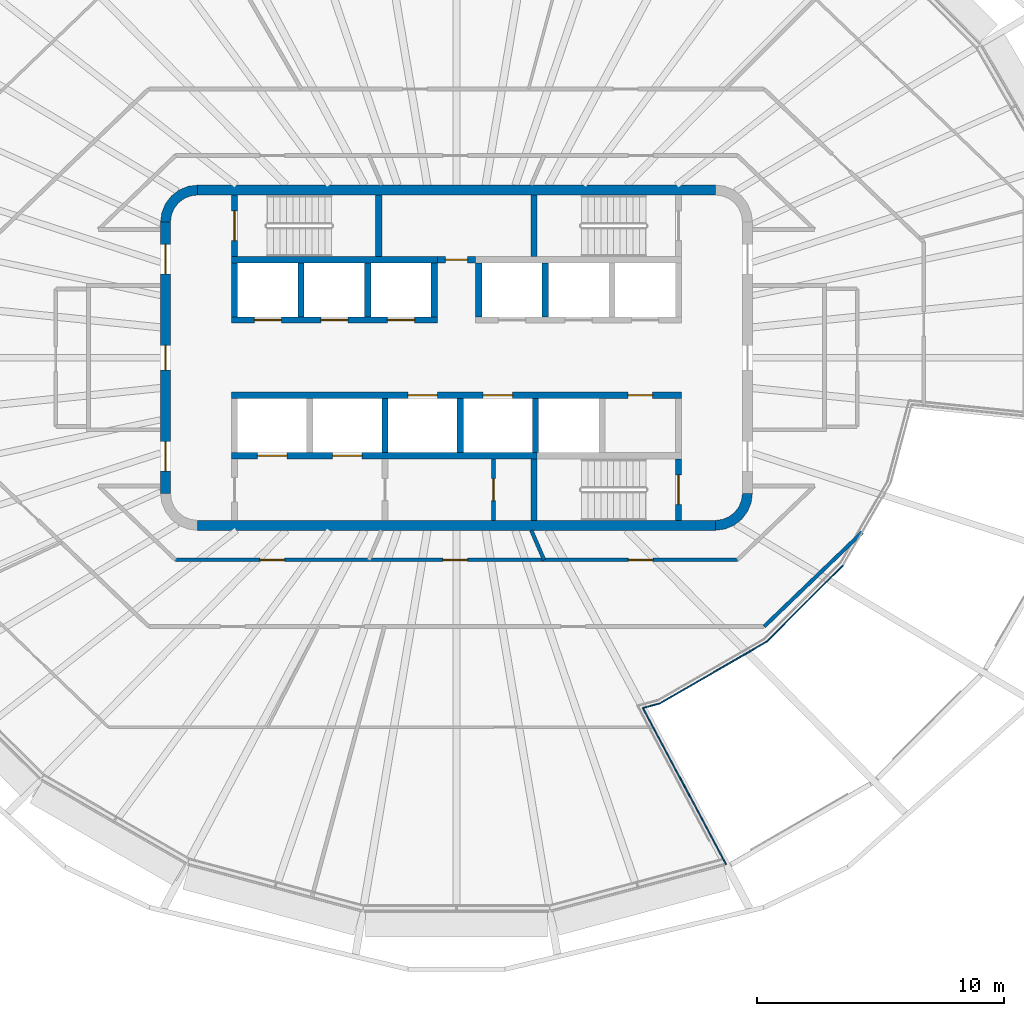
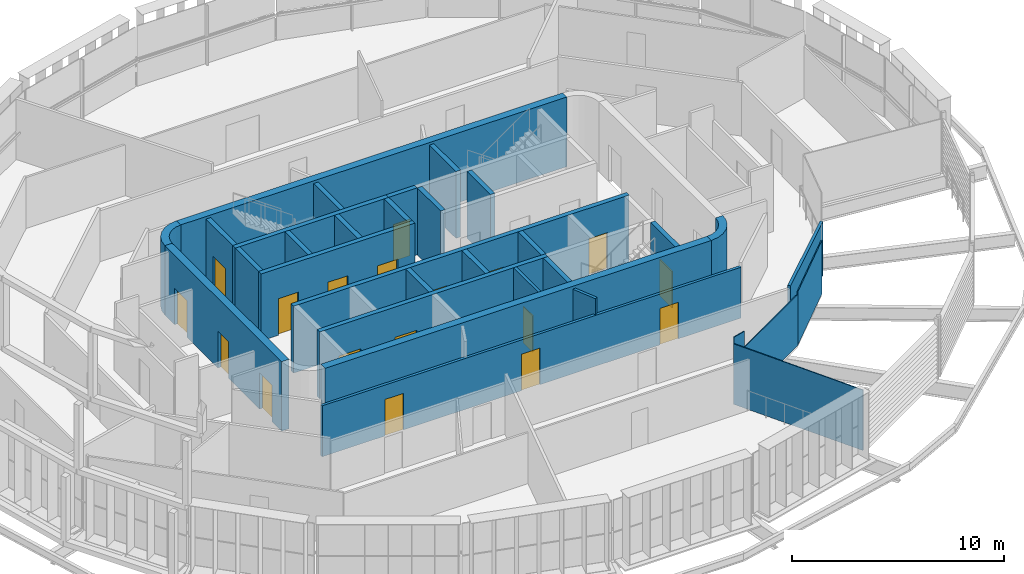
# One storey, part 9 of 18: 32 walls, 18 doors, 18 openings.
"""IFC4 building model written with IfcOpenShell, lengths in metres."""

from ifc_helpers import new_model, si_unit, direction, frame, frame_2d, origin, place, context, subcontext, project, spatial, polyline, rectangle, outline, extrude, material, layer, layer_set, type_object, element, fill, save


model = new_model("IFC4")

# Units and contexts
model_context = context("Model", 3, precision=1e-05, world=origin(), true_north=direction((0.0, 1.0)))
body_context = subcontext(model_context, "Body", "Model", "MODEL_VIEW")
ifc_project = project(units=[si_unit("LENGTHUNIT", "METRE"), si_unit("AREAUNIT", "SQUARE_METRE"), si_unit("VOLUMEUNIT", "CUBIC_METRE"), si_unit("PLANEANGLEUNIT", "RADIAN"), si_unit("MASSUNIT", "GRAM", prefix="KILO")], contexts=[model_context])

# Site, building, storey
site_placement = place(None, origin())
site = spatial("IfcSite", under=ifc_project, at=site_placement, CompositionType="ELEMENT")
building_placement = place(site_placement, origin())
building = spatial("IfcBuilding", under=site, at=building_placement, Name="Sahrelin Media Tower", CompositionType="ELEMENT")
storey_placement = place(building_placement, frame((0.0, 0.0, 312.39990234375)))
storey = spatial("IfcBuildingStorey", under=building, at=storey_placement, Name="L69", CompositionType="ELEMENT", Elevation=312.39990234375)

# Walls
ifc_material_1 = material(Name="Concrete C60/75", Category="concrete")
ifc_layer_1 = layer(ifc_material_1, 0.39990234375)
ifc_layer_set_1 = layer_set([ifc_layer_1], Name="Core wall 400")
wall_type_1 = type_object("IfcWallType", Name="Core wall 400", PredefinedType="SHEAR", material=ifc_layer_set_1)
for number, where, z_axis, x_axis, name in (
    (1, (-10.5, 6.800048828125, 0.0), (0.0, 0.0, 1.0), (1.0, 0.0, 0.0), "Core wall N L69"),
    (2, (-10.5, -6.800048828125, 0.0), (0.0, 0.0, 1.0), (1.0, 0.0, 0.0), "Core wall S L69"),
):
    element("IfcWall", number, at=place(storey_placement, frame(where, z_axis=z_axis, x_axis=x_axis)), inside=storey, type_object=wall_type_1, Name=name, PredefinedType="SHEAR", context=body_context, shape_type="SweptSolid", body=[
        extrude(rectangle(XDim=21.0, YDim=0.39990234375, at=frame_2d((10.5, 0.0))), origin(), (0.0, 0.0, 1.0), 4.0),
    ])

# Wall, openings, doors
wall_1_placement = place(storey_placement, frame((-11.800048828125, -5.5, 0.0), z_axis=(0.0, 0.0, 1.0), x_axis=(0.0, 1.0, 0.0)))
wall_1 = element("IfcWall", 3, at=wall_1_placement, inside=storey, type_object=wall_type_1, Name="Core wall W L69", PredefinedType="SHEAR", context=body_context, shape_type="SweptSolid", body=[
    extrude(rectangle(XDim=11.0, YDim=0.39990234375, at=frame_2d((5.5, 0.0))), origin(), (0.0, 0.0, 1.0), 4.0),
])
opening_1_placement = place(wall_1_placement, frame((5.0, 0.0, 0.0)))
opening_1 = element("IfcOpeningElement", 4, at=opening_1_placement, cuts=wall_1, Name="Opening L69-D09", PredefinedType="OPENING", context=body_context, shape_type="SweptSolid", body=[
    extrude(rectangle(XDim=1.0, YDim=2.10009765625, at=frame_2d((0.5, 1.050048828125))), frame((0.0, 0.199951171875, 0.0), z_axis=(0.0, -1.0, 0.0), x_axis=(1.0, 0.0, 0.0)), (0.0, 0.0, 1.0), 0.39990234375),
])
opening_2_placement = place(wall_1_placement, frame((0.89990234375, 0.0, 0.0)))
opening_2 = element("IfcOpeningElement", 5, at=opening_2_placement, cuts=wall_1, Name="Opening L69-D11", PredefinedType="OPENING", context=body_context, shape_type="SweptSolid", body=[
    extrude(rectangle(XDim=1.199951171875, YDim=2.10009765625, at=frame_2d((0.60009765625, 1.050048828125))), frame((0.0, 0.199951171875, 0.0), z_axis=(0.0, -1.0, 0.0), x_axis=(1.0, 0.0, 0.0)), (0.0, 0.0, 1.0), 0.39990234375),
])
opening_3_placement = place(wall_1_placement, frame((8.89990234375, 0.0, 0.0)))
opening_3 = element("IfcOpeningElement", 6, at=opening_3_placement, cuts=wall_1, Name="Opening L69-D12", PredefinedType="OPENING", context=body_context, shape_type="SweptSolid", body=[
    extrude(rectangle(XDim=1.199951171875, YDim=2.10009765625, at=frame_2d((0.60009765625, 1.050048828125))), frame((0.0, 0.199951171875, 0.0), z_axis=(0.0, -1.0, 0.0), x_axis=(1.0, 0.0, 0.0)), (0.0, 0.0, 1.0), 0.39990234375),
])
ifc_material_2 = material(Name="Steel fire door leaf", Category="steel")
door_type_1 = type_object("IfcDoorType", Name="Fire door 1000 x 2100 EI 60", OperationType="NOTDEFINED", PredefinedType="DOOR", material=ifc_material_2)
door_1_placement = place(opening_1_placement, origin())
door_1 = element("IfcDoor", 7, at=door_1_placement, inside=storey, type_object=door_type_1, Name="Core room door", OperationType="SINGLE_SWING_RIGHT", OverallHeight=2.10009765625, OverallWidth=1.0, PredefinedType="DOOR", context=body_context, shape_type="SweptSolid", body=[
    extrude(rectangle(XDim=1.0, YDim=2.10009765625, at=frame_2d((0.5, 1.050048828125))), frame((0.0, 0.02490234375, 0.0), z_axis=(0.0, -1.0, 0.0), x_axis=(1.0, 0.0, 0.0)), (0.0, 0.0, 1.0), 0.050048828125),
])
fill(opening_1, door_1)
door_type_2 = type_object("IfcDoorType", Name="Lobby door 1200 x 2100 EI 60", OperationType="NOTDEFINED", PredefinedType="DOOR", material=ifc_material_2)
door_2_placement = place(opening_2_placement, origin())
door_2 = element("IfcDoor", 8, at=door_2_placement, inside=storey, type_object=door_type_2, Name="Lobby door", OperationType="SINGLE_SWING_LEFT", OverallHeight=2.10009765625, OverallWidth=1.199951171875, PredefinedType="DOOR", context=body_context, shape_type="SweptSolid", body=[
    extrude(rectangle(XDim=1.199951171875, YDim=2.10009765625, at=frame_2d((0.60009765625, 1.050048828125))), frame((0.0, 0.02490234375, 0.0), z_axis=(0.0, -1.0, 0.0), x_axis=(1.0, 0.0, 0.0)), (0.0, 0.0, 1.0), 0.050048828125),
])
fill(opening_2, door_2)
door_3_placement = place(opening_3_placement, origin())
door_3 = element("IfcDoor", 9, at=door_3_placement, inside=storey, type_object=door_type_2, Name="Lobby door", OperationType="SINGLE_SWING_LEFT", OverallHeight=2.10009765625, OverallWidth=1.199951171875, PredefinedType="DOOR", context=body_context, shape_type="SweptSolid", body=[
    extrude(rectangle(XDim=1.199951171875, YDim=2.10009765625, at=frame_2d((0.60009765625, 1.050048828125))), frame((0.0, 0.02490234375, 0.0), z_axis=(0.0, -1.0, 0.0), x_axis=(1.0, 0.0, 0.0)), (0.0, 0.0, 1.0), 0.050048828125),
])
fill(opening_3, door_3)

# Walls
placement = place(storey_placement, origin())
element("IfcWall", 10, at=placement, inside=storey, type_object=wall_type_1, Name="Core wall corner NW L69", PredefinedType="SHEAR", context=body_context, shape_type="SweptSolid", body=[
    extrude(outline(polyline([(-12.0, 5.5), (-11.596435546875, 5.5), (-11.55908203125, 5.78369140625), (-11.44970703125, 6.04833984375), (-11.275390625, 6.275390625), (-11.04833984375, 6.44970703125), (-10.78369140625, 6.55908203125), (-10.5, 6.596435546875), (-10.5, 7.0), (-10.88818359375, 6.948974609375), (-11.25, 6.799072265625), (-11.560791015625, 6.560791015625), (-11.799072265625, 6.25), (-11.948974609375, 5.88818359375), (-12.0, 5.5)])), origin(), (0.0, 0.0, 1.0), 4.0),
])
element("IfcWall", 11, at=placement, inside=storey, type_object=wall_type_1, Name="Core wall corner SE L69", PredefinedType="SHEAR", context=body_context, shape_type="SweptSolid", body=[
    extrude(outline(polyline([(12.0, -5.5), (11.596435546875, -5.5), (11.55908203125, -5.78369140625), (11.44970703125, -6.04833984375), (11.275390625, -6.275390625), (11.04833984375, -6.44970703125), (10.78369140625, -6.55908203125), (10.5, -6.596435546875), (10.5, -7.0), (10.88818359375, -6.948974609375), (11.25, -6.799072265625), (11.560791015625, -6.560791015625), (11.799072265625, -6.25), (11.948974609375, -5.88818359375), (12.0, -5.5)])), origin(), (0.0, 0.0, 1.0), 4.0),
])

# Wall, opening, door
ifc_material_3 = material(Name="Fire-rated gypsum board partition")
ifc_layer_2 = layer(ifc_material_3, 0.25)
ifc_layer_set_2 = layer_set([ifc_layer_2], Name="Fire-rated lobby wall 250")
wall_type_2 = type_object("IfcWallType", Name="Fire-rated lobby wall 250", PredefinedType="PARTITIONING", material=ifc_layer_set_2)
wall_4_placement = place(storey_placement, frame((-0.77490234375, 3.97509765625, 0.0), z_axis=(0.0, 0.0, 1.0), x_axis=(1.0, 0.0, 0.0)))
wall_4 = element("IfcWall", 12, at=wall_4_placement, inside=storey, type_object=wall_type_2, Name="Core lobby wall", PredefinedType="PARTITIONING", context=body_context, shape_type="SweptSolid", body=[
    extrude(rectangle(XDim=1.5498046875, YDim=0.25, at=frame_2d((0.77490234375, 0.0))), origin(), (0.0, 0.0, 1.0), 3.85009765625),
])
opening_4_placement = place(wall_4_placement, frame((0.324951171875, 0.0, 0.0)))
opening_4 = element("IfcOpeningElement", 13, at=opening_4_placement, cuts=wall_4, Name="Opening L69-D06", PredefinedType="OPENING", context=body_context, shape_type="SweptSolid", body=[
    extrude(rectangle(XDim=0.89990234375, YDim=2.10009765625, at=frame_2d((0.449951171875, 1.050048828125))), frame((0.0, 0.125, 0.0), z_axis=(0.0, -1.0, 0.0), x_axis=(1.0, 0.0, 0.0)), (0.0, 0.0, 1.0), 0.25),
])
door_type_3 = type_object("IfcDoorType", Name="Riser door 900 x 2100 EI 120", OperationType="NOTDEFINED", PredefinedType="DOOR", material=ifc_material_2)
door_4_placement = place(opening_4_placement, origin())
door_4 = element("IfcDoor", 14, at=door_4_placement, inside=storey, type_object=door_type_3, Name="Core room door", OperationType="SINGLE_SWING_LEFT", OverallHeight=2.10009765625, OverallWidth=0.89990234375, PredefinedType="DOOR", context=body_context, shape_type="SweptSolid", body=[
    extrude(rectangle(XDim=0.89990234375, YDim=2.10009765625, at=frame_2d((0.449951171875, 1.050048828125))), frame((0.0, 0.02490234375, 0.0), z_axis=(0.0, -1.0, 0.0), x_axis=(1.0, 0.0, 0.0)), (0.0, 0.0, 1.0), 0.050048828125),
])
fill(opening_4, door_4)

ifc_layer_3 = layer(ifc_material_3, 0.14990234375)
ifc_layer_set_3 = layer_set([ifc_layer_3], Name="Fire-rated partition 150")
wall_type_3 = type_object("IfcWallType", Name="Fire-rated partition 150", PredefinedType="PARTITIONING", material=ifc_layer_set_3)
wall_5_placement = place(storey_placement, frame((1.5, -6.60009765625, 0.0), z_axis=(0.0, 0.0, 1.0), x_axis=(0.0, 1.0, 0.0)))
wall_5 = element("IfcWall", 15, at=wall_5_placement, inside=storey, type_object=wall_type_3, Name="Core room fire partition", PredefinedType="PARTITIONING", context=body_context, shape_type="SweptSolid", body=[
    extrude(rectangle(XDim=2.5, YDim=0.14990234375, at=frame_2d((1.25, 0.0))), origin(), (0.0, 0.0, 1.0), 3.85009765625),
])
opening_5_placement = place(wall_5_placement, frame((0.800048828125, 0.0, 0.0)))
opening_5 = element("IfcOpeningElement", 16, at=opening_5_placement, cuts=wall_5, Name="Opening L69-D07", PredefinedType="OPENING", context=body_context, shape_type="SweptSolid", body=[
    extrude(rectangle(XDim=0.89990234375, YDim=2.10009765625, at=frame_2d((0.449951171875, 1.050048828125))), frame((0.0, 0.074951171875, 0.0), z_axis=(0.0, -1.0, 0.0), x_axis=(1.0, 0.0, 0.0)), (0.0, 0.0, 1.0), 0.14990234375),
])
door_type_4 = type_object("IfcDoorType", Name="Fire door 900 x 2100 EI 60", OperationType="NOTDEFINED", PredefinedType="DOOR", material=ifc_material_2)
door_5_placement = place(opening_5_placement, origin())
door_5 = element("IfcDoor", 17, at=door_5_placement, inside=storey, type_object=door_type_4, Name="Core room door", OperationType="SINGLE_SWING_RIGHT", OverallHeight=2.10009765625, OverallWidth=0.89990234375, PredefinedType="DOOR", context=body_context, shape_type="SweptSolid", body=[
    extrude(rectangle(XDim=0.89990234375, YDim=2.10009765625, at=frame_2d((0.449951171875, 1.050048828125))), frame((0.0, 0.02490234375, 0.0), z_axis=(0.0, -1.0, 0.0), x_axis=(1.0, 0.0, 0.0)), (0.0, 0.0, 1.0), 0.050048828125),
])
fill(opening_5, door_5)

# Wall
wall_6_placement = place(storey_placement, frame((3.032958984375, -7.0, 0.0), z_axis=(0.0, 0.0, 1.0), x_axis=(0.397906243356, -0.917426085033, 0.0)))
element("IfcWall", 18, at=wall_6_placement, inside=storey, type_object=wall_type_3, Name="Wall", PredefinedType="PARTITIONING", context=body_context, shape_type="SweptSolid", body=[
    extrude(rectangle(XDim=1.306884765625, YDim=0.14990234375, at=frame_2d((0.6533203125, 0.0))), origin(), (0.0, 0.0, 1.0), 3.85009765625),
])

# Wall, openings, doors
wall_7_placement = place(storey_placement, frame((-11.39111328125, -8.198974609375, 0.0), z_axis=(0.0, 0.0, 1.0), x_axis=(1.0, 0.0, 0.0)))
wall_7 = element("IfcWall", 19, at=wall_7_placement, inside=storey, type_object=wall_type_3, Name="Wall", PredefinedType="PARTITIONING", context=body_context, shape_type="SweptSolid", body=[
    extrude(rectangle(XDim=22.7822265625, YDim=0.14990234375, at=frame_2d((11.39111328125, 0.0))), origin(), (0.0, 0.0, 1.0), 2.927001953125),
])
opening_6_placement = place(wall_7_placement, frame((3.4189453125, 0.0, 0.0)))
opening_6 = element("IfcOpeningElement", 20, at=opening_6_placement, cuts=wall_7, Name="Opening L69-D15", PredefinedType="OPENING", context=body_context, shape_type="SweptSolid", body=[
    extrude(rectangle(XDim=1.0, YDim=2.10009765625, at=frame_2d((0.5, 1.050048828125))), frame((0.0, 0.074951171875, 0.0), z_axis=(0.0, -1.0, 0.0), x_axis=(1.0, 0.0, 0.0)), (0.0, 0.0, 1.0), 0.14990234375),
])
opening_7_placement = place(wall_7_placement, frame((10.8408203125, 0.0, 0.0)))
opening_7 = element("IfcOpeningElement", 21, at=opening_7_placement, cuts=wall_7, Name="Opening L69-D16", PredefinedType="OPENING", context=body_context, shape_type="SweptSolid", body=[
    extrude(rectangle(XDim=1.0, YDim=2.10009765625, at=frame_2d((0.5, 1.050048828125))), frame((0.0, 0.074951171875, 0.0), z_axis=(0.0, -1.0, 0.0), x_axis=(1.0, 0.0, 0.0)), (0.0, 0.0, 1.0), 0.14990234375),
])
opening_8_placement = place(wall_7_placement, frame((18.363037109375, 0.0, 0.0)))
opening_8 = element("IfcOpeningElement", 22, at=opening_8_placement, cuts=wall_7, Name="Opening L69-D17", PredefinedType="OPENING", context=body_context, shape_type="SweptSolid", body=[
    extrude(rectangle(XDim=1.0, YDim=2.10009765625, at=frame_2d((0.5, 1.050048828125))), frame((0.0, 0.074951171875, 0.0), z_axis=(0.0, -1.0, 0.0), x_axis=(1.0, 0.0, 0.0)), (0.0, 0.0, 1.0), 0.14990234375),
])
door_6_placement = place(opening_6_placement, origin())
door_6 = element("IfcDoor", 23, at=door_6_placement, inside=storey, type_object=door_type_1, Name="Fire door", OperationType="SINGLE_SWING_RIGHT", OverallHeight=2.10009765625, OverallWidth=1.0, PredefinedType="DOOR", context=body_context, shape_type="SweptSolid", body=[
    extrude(rectangle(XDim=1.0, YDim=2.10009765625, at=frame_2d((0.5, 1.050048828125))), frame((0.0, 0.02490234375, 0.0), z_axis=(0.0, -1.0, 0.0), x_axis=(1.0, 0.0, 0.0)), (0.0, 0.0, 1.0), 0.050048828125),
])
fill(opening_6, door_6)
door_7_placement = place(opening_7_placement, origin())
door_7 = element("IfcDoor", 24, at=door_7_placement, inside=storey, type_object=door_type_1, Name="Fire door", OperationType="SINGLE_SWING_LEFT", OverallHeight=2.10009765625, OverallWidth=1.0, PredefinedType="DOOR", context=body_context, shape_type="SweptSolid", body=[
    extrude(rectangle(XDim=1.0, YDim=2.10009765625, at=frame_2d((0.5, 1.050048828125))), frame((0.0, 0.02490234375, 0.0), z_axis=(0.0, -1.0, 0.0), x_axis=(1.0, 0.0, 0.0)), (0.0, 0.0, 1.0), 0.050048828125),
])
fill(opening_7, door_7)
door_8_placement = place(opening_8_placement, origin())
door_8 = element("IfcDoor", 25, at=door_8_placement, inside=storey, type_object=door_type_1, Name="Fire door", OperationType="SINGLE_SWING_LEFT", OverallHeight=2.10009765625, OverallWidth=1.0, PredefinedType="DOOR", context=body_context, shape_type="SweptSolid", body=[
    extrude(rectangle(XDim=1.0, YDim=2.10009765625, at=frame_2d((0.5, 1.050048828125))), frame((0.0, 0.02490234375, 0.0), z_axis=(0.0, -1.0, 0.0), x_axis=(1.0, 0.0, 0.0)), (0.0, 0.0, 1.0), 0.050048828125),
])
fill(opening_8, door_8)

# Walls
wall_8_placement = place(storey_placement, frame((12.47802734375, -10.89892578125, 0.0), z_axis=(0.0, 0.0, 1.0), x_axis=(0.721258856926, 0.692665620127, 0.0)))
element("IfcWall", 26, at=wall_8_placement, inside=storey, type_object=wall_type_3, Name="Wall", PredefinedType="PARTITIONING", context=body_context, shape_type="SweptSolid", body=[
    extrude(rectangle(XDim=5.50732421875, YDim=0.14990234375, at=frame_2d((2.753662109375, 0.0))), origin(), (0.0, 0.0, 1.0), 3.076171875),
])
ifc_material_4 = material(Name="Clear glass", Category="glass")
ifc_layer_4 = layer(ifc_material_4, 0.050048828125)
ifc_layer_set_4 = layer_set([ifc_layer_4], Name="Glazed partition 50")
wall_type_4 = type_object("IfcWallType", Name="Glazed partition 50", PredefinedType="PARTITIONING", material=ifc_layer_set_4)
wall_9_placement = place(storey_placement, frame((7.55810546875, -14.20703125, 0.0), z_axis=(0.0, 0.0, 1.0), x_axis=(0.46979441649, -0.882775852771, 0.0)))
element("IfcWall", 27, at=wall_9_placement, inside=storey, type_object=wall_type_4, Name="Wall", PredefinedType="PARTITIONING", context=body_context, shape_type="SweptSolid", body=[
    extrude(rectangle(XDim=7.18505859375, YDim=0.050048828125, at=frame_2d((3.592529296875, 0.0))), origin(), (0.0, 0.0, 1.0), 3.47509765625),
])
wall_10_placement = place(storey_placement, frame((7.55810546875, -14.20703125, 0.0), z_axis=(0.0, 0.0, 1.0), x_axis=(0.966054348396, 0.258338916824, 0.0)))
element("IfcWall", 28, at=wall_10_placement, inside=storey, type_object=wall_type_4, Name="Wall", PredefinedType="PARTITIONING", context=body_context, shape_type="SweptSolid", body=[
    extrude(rectangle(XDim=0.696533203125, YDim=0.050048828125, at=frame_2d((0.34814453125, 0.0))), origin(), (0.0, 0.0, 1.0), 3.85009765625),
])
wall_11_placement = place(storey_placement, frame((8.23095703125, -14.027099609375, 0.0), z_axis=(0.0, 0.0, 1.0), x_axis=(0.866082721662, 0.49990070938, 0.0)))
element("IfcWall", 29, at=wall_11_placement, inside=storey, type_object=wall_type_4, Name="Wall", PredefinedType="PARTITIONING", context=body_context, shape_type="SweptSolid", body=[
    extrude(rectangle(XDim=5.01904296875, YDim=0.050048828125, at=frame_2d((2.509521484375, 0.0))), origin(), (0.0, 0.0, 1.0), 2.927001953125),
])
wall_12_placement = place(storey_placement, frame((12.577880859375, -11.517822265625, 0.0), z_axis=(0.0, 0.0, 1.0), x_axis=(0.707023420529, 0.707190132017, 0.0)))
element("IfcWall", 30, at=wall_12_placement, inside=storey, type_object=wall_type_4, Name="Wall", PredefinedType="PARTITIONING", context=body_context, shape_type="SweptSolid", body=[
    extrude(rectangle(XDim=4.393310546875, YDim=0.050048828125, at=frame_2d((2.19677734375, 0.0))), origin(), (0.0, 0.0, 1.0), 3.076171875),
])

# Wall, openings, doors
ifc_layer_5 = layer(ifc_material_1, 0.25)
ifc_layer_set_5 = layer_set([ifc_layer_5], Name="Lift shaft wall 250")
wall_type_5 = type_object("IfcWallType", Name="Lift shaft wall 250", PredefinedType="SOLIDWALL", material=ifc_layer_set_5)
wall_13_placement = place(storey_placement, frame((-9.125, 1.52490234375, 0.0), z_axis=(0.0, 0.0, 1.0), x_axis=(1.0, 0.0, 0.0)))
wall_13 = element("IfcWall", 31, at=wall_13_placement, inside=storey, type_object=wall_type_5, Name="Lift shaft wall", PredefinedType="SOLIDWALL", context=body_context, shape_type="SweptSolid", body=[
    extrude(rectangle(XDim=8.35009765625, YDim=0.25, at=frame_2d((4.175048828125, 0.0))), origin(), (0.0, 0.0, 1.0), 3.85009765625),
])
opening_9_placement = place(wall_13_placement, frame((0.925048828125, 0.0, 0.0)))
opening_9 = element("IfcOpeningElement", 32, at=opening_9_placement, cuts=wall_13, Name="Opening L69-LD-HR1", PredefinedType="OPENING", context=body_context, shape_type="SweptSolid", body=[
    extrude(rectangle(XDim=1.10009765625, YDim=2.10009765625, at=frame_2d((0.550048828125, 1.050048828125))), frame((0.0, 0.125, 0.0), z_axis=(0.0, -1.0, 0.0), x_axis=(1.0, 0.0, 0.0)), (0.0, 0.0, 1.0), 0.25),
])
opening_10_placement = place(wall_13_placement, frame((3.625, 0.0, 0.0)))
opening_10 = element("IfcOpeningElement", 33, at=opening_10_placement, cuts=wall_13, Name="Opening L69-LD-HR2", PredefinedType="OPENING", context=body_context, shape_type="SweptSolid", body=[
    extrude(rectangle(XDim=1.10009765625, YDim=2.10009765625, at=frame_2d((0.550048828125, 1.050048828125))), frame((0.0, 0.125, 0.0), z_axis=(0.0, -1.0, 0.0), x_axis=(1.0, 0.0, 0.0)), (0.0, 0.0, 1.0), 0.25),
])
opening_11_placement = place(wall_13_placement, frame((6.324951171875, 0.0, 0.0)))
opening_11 = element("IfcOpeningElement", 34, at=opening_11_placement, cuts=wall_13, Name="Opening L69-LD-HR3", PredefinedType="OPENING", context=body_context, shape_type="SweptSolid", body=[
    extrude(rectangle(XDim=1.10009765625, YDim=2.10009765625, at=frame_2d((0.550048828125, 1.050048828125))), frame((0.0, 0.125, 0.0), z_axis=(0.0, -1.0, 0.0), x_axis=(1.0, 0.0, 0.0)), (0.0, 0.0, 1.0), 0.25),
])
ifc_material_5 = material(Name="Stainless steel", Category="steel")
door_type_5 = type_object("IfcDoorType", Name="Lift landing door 1100 x 2100 EI 120", OperationType="DOUBLE_DOOR_SLIDING", PredefinedType="DOOR", material=ifc_material_5)
door_9_placement = place(opening_9_placement, origin())
door_9 = element("IfcDoor", 35, at=door_9_placement, inside=storey, type_object=door_type_5, Name="Lift landing door HR1", OperationType="DOUBLE_DOOR_SLIDING", OverallHeight=2.10009765625, OverallWidth=1.10009765625, PredefinedType="DOOR", context=body_context, shape_type="SweptSolid", body=[
    extrude(rectangle(XDim=1.10009765625, YDim=2.10009765625, at=frame_2d((0.550048828125, 1.050048828125))), frame((0.0, 0.02490234375, 0.0), z_axis=(0.0, -1.0, 0.0), x_axis=(1.0, 0.0, 0.0)), (0.0, 0.0, 1.0), 0.050048828125),
])
fill(opening_9, door_9)
door_10_placement = place(opening_10_placement, origin())
door_10 = element("IfcDoor", 36, at=door_10_placement, inside=storey, type_object=door_type_5, Name="Lift landing door HR2", OperationType="DOUBLE_DOOR_SLIDING", OverallHeight=2.10009765625, OverallWidth=1.10009765625, PredefinedType="DOOR", context=body_context, shape_type="SweptSolid", body=[
    extrude(rectangle(XDim=1.10009765625, YDim=2.10009765625, at=frame_2d((0.550048828125, 1.050048828125))), frame((0.0, 0.02490234375, 0.0), z_axis=(0.0, -1.0, 0.0), x_axis=(1.0, 0.0, 0.0)), (0.0, 0.0, 1.0), 0.050048828125),
])
fill(opening_10, door_10)
door_11_placement = place(opening_11_placement, origin())
door_11 = element("IfcDoor", 37, at=door_11_placement, inside=storey, type_object=door_type_5, Name="Lift landing door HR3", OperationType="DOUBLE_DOOR_SLIDING", OverallHeight=2.10009765625, OverallWidth=1.10009765625, PredefinedType="DOOR", context=body_context, shape_type="SweptSolid", body=[
    extrude(rectangle(XDim=1.10009765625, YDim=2.10009765625, at=frame_2d((0.550048828125, 1.050048828125))), frame((0.0, 0.02490234375, 0.0), z_axis=(0.0, -1.0, 0.0), x_axis=(1.0, 0.0, 0.0)), (0.0, 0.0, 1.0), 0.050048828125),
])
fill(opening_11, door_11)

# Walls
wall_14_placement = place(storey_placement, frame((-9.125, 3.97509765625, 0.0), z_axis=(0.0, 0.0, 1.0), x_axis=(1.0, 0.0, 0.0)))
element("IfcWall", 38, at=wall_14_placement, inside=storey, type_object=wall_type_5, Name="Lift shaft wall", PredefinedType="SOLIDWALL", context=body_context, shape_type="SweptSolid", body=[
    extrude(rectangle(XDim=8.35009765625, YDim=0.25, at=frame_2d((4.175048828125, 0.0))), origin(), (0.0, 0.0, 1.0), 3.85009765625),
])
for number, where, z_axis, x_axis, name in (
    (39, (-9.0, 1.64990234375, 0.0), (0.0, 0.0, 1.0), (0.0, 1.0, 0.0), "Lift shaft wall"),
    (40, (-6.300048828125, 1.64990234375, 0.0), (0.0, 0.0, 1.0), (0.0, 1.0, 0.0), "Lift shaft wall"),
    (41, (-3.60009765625, 1.64990234375, 0.0), (0.0, 0.0, 1.0), (0.0, 1.0, 0.0), "Lift shaft wall"),
    (42, (3.60009765625, 1.64990234375, 0.0), (0.0, 0.0, 1.0), (0.0, 1.0, 0.0), "Lift shaft wall"),
    (43, (-0.89990234375, 1.64990234375, 0.0), (0.0, 0.0, 1.0), (0.0, 1.0, 0.0), "Lift shaft wall"),
    (44, (0.89990234375, 1.64990234375, 0.0), (0.0, 0.0, 1.0), (0.0, 1.0, 0.0), "Lift shaft wall"),
):
    element("IfcWall", number, at=place(storey_placement, frame(where, z_axis=z_axis, x_axis=x_axis)), inside=storey, type_object=wall_type_5, Name=name, PredefinedType="SOLIDWALL", context=body_context, shape_type="SweptSolid", body=[
        extrude(rectangle(XDim=2.2001953125, YDim=0.25, at=frame_2d((1.10009765625, 0.0))), origin(), (0.0, 0.0, 1.0), 3.85009765625),
    ])

# Wall, openings, doors
wall_15_placement = place(storey_placement, frame((-9.125, -1.52490234375, 0.0), z_axis=(0.0, 0.0, 1.0), x_axis=(1.0, 0.0, 0.0)))
wall_15 = element("IfcWall", 45, at=wall_15_placement, inside=storey, type_object=wall_type_5, Name="Lift shaft wall", PredefinedType="SOLIDWALL", context=body_context, shape_type="SweptSolid", body=[
    extrude(rectangle(XDim=18.25, YDim=0.25, at=frame_2d((9.125, 0.0))), origin(), (0.0, 0.0, 1.0), 3.85009765625),
])
opening_12_placement = place(wall_15_placement, frame((7.14990234375, 0.0, 0.0)))
opening_12 = element("IfcOpeningElement", 46, at=opening_12_placement, cuts=wall_15, Name="Opening L69-LD-SV1", PredefinedType="OPENING", context=body_context, shape_type="SweptSolid", body=[
    extrude(rectangle(XDim=1.199951171875, YDim=2.10009765625, at=frame_2d((0.60009765625, 1.050048828125))), frame((0.0, 0.125, 0.0), z_axis=(0.0, -1.0, 0.0), x_axis=(1.0, 0.0, 0.0)), (0.0, 0.0, 1.0), 0.25),
])
opening_13_placement = place(wall_15_placement, frame((10.199951171875, 0.0, 0.0)))
opening_13 = element("IfcOpeningElement", 47, at=opening_13_placement, cuts=wall_15, Name="Opening L69-LD-SV2", PredefinedType="OPENING", context=body_context, shape_type="SweptSolid", body=[
    extrude(rectangle(XDim=1.199951171875, YDim=2.10009765625, at=frame_2d((0.60009765625, 1.050048828125))), frame((0.0, 0.125, 0.0), z_axis=(0.0, -1.0, 0.0), x_axis=(1.0, 0.0, 0.0)), (0.0, 0.0, 1.0), 0.25),
])
opening_14_placement = place(wall_15_placement, frame((16.074951171875, 0.0, 0.0)))
opening_14 = element("IfcOpeningElement", 48, at=opening_14_placement, cuts=wall_15, Name="Opening L69-D08", PredefinedType="OPENING", context=body_context, shape_type="SweptSolid", body=[
    extrude(rectangle(XDim=1.0, YDim=2.10009765625, at=frame_2d((0.5, 1.050048828125))), frame((0.0, 0.125, 0.0), z_axis=(0.0, -1.0, 0.0), x_axis=(1.0, 0.0, 0.0)), (0.0, 0.0, 1.0), 0.25),
])
door_12_placement = place(opening_14_placement, origin())
door_12 = element("IfcDoor", 49, at=door_12_placement, inside=storey, type_object=door_type_1, Name="Core room door", OperationType="SINGLE_SWING_RIGHT", OverallHeight=2.10009765625, OverallWidth=1.0, PredefinedType="DOOR", context=body_context, shape_type="SweptSolid", body=[
    extrude(rectangle(XDim=1.0, YDim=2.10009765625, at=frame_2d((0.5, 1.050048828125))), frame((0.0, 0.02490234375, 0.0), z_axis=(0.0, -1.0, 0.0), x_axis=(1.0, 0.0, 0.0)), (0.0, 0.0, 1.0), 0.050048828125),
])
fill(opening_14, door_12)
door_type_6 = type_object("IfcDoorType", Name="Lift landing door 1200 x 2100 EI 120", OperationType="DOUBLE_DOOR_SLIDING", PredefinedType="DOOR", material=ifc_material_5)
door_13_placement = place(opening_12_placement, origin())
door_13 = element("IfcDoor", 50, at=door_13_placement, inside=storey, type_object=door_type_6, Name="Lift landing door SV1", OperationType="DOUBLE_DOOR_SLIDING", OverallHeight=2.10009765625, OverallWidth=1.199951171875, PredefinedType="DOOR", context=body_context, shape_type="SweptSolid", body=[
    extrude(rectangle(XDim=1.199951171875, YDim=2.10009765625, at=frame_2d((0.60009765625, 1.050048828125))), frame((0.0, 0.02490234375, 0.0), z_axis=(0.0, -1.0, 0.0), x_axis=(1.0, 0.0, 0.0)), (0.0, 0.0, 1.0), 0.050048828125),
])
fill(opening_12, door_13)
door_14_placement = place(opening_13_placement, origin())
door_14 = element("IfcDoor", 51, at=door_14_placement, inside=storey, type_object=door_type_6, Name="Lift landing door SV2", OperationType="DOUBLE_DOOR_SLIDING", OverallHeight=2.10009765625, OverallWidth=1.199951171875, PredefinedType="DOOR", context=body_context, shape_type="SweptSolid", body=[
    extrude(rectangle(XDim=1.199951171875, YDim=2.10009765625, at=frame_2d((0.60009765625, 1.050048828125))), frame((0.0, 0.02490234375, 0.0), z_axis=(0.0, -1.0, 0.0), x_axis=(1.0, 0.0, 0.0)), (0.0, 0.0, 1.0), 0.050048828125),
])
fill(opening_13, door_14)

wall_16_placement = place(storey_placement, frame((-9.125, -3.97509765625, 0.0), z_axis=(0.0, 0.0, 1.0), x_axis=(1.0, 0.0, 0.0)))
wall_16 = element("IfcWall", 52, at=wall_16_placement, inside=storey, type_object=wall_type_5, Name="Lift shaft wall", PredefinedType="SOLIDWALL", context=body_context, shape_type="SweptSolid", body=[
    extrude(rectangle(XDim=12.39990234375, YDim=0.25, at=frame_2d((6.199951171875, 0.0))), origin(), (0.0, 0.0, 1.0), 3.85009765625),
])
opening_15_placement = place(wall_16_placement, frame((1.050048828125, 0.0, 0.0)))
opening_15 = element("IfcOpeningElement", 53, at=opening_15_placement, cuts=wall_16, Name="Opening L69-LD-FF1", PredefinedType="OPENING", context=body_context, shape_type="SweptSolid", body=[
    extrude(rectangle(XDim=1.199951171875, YDim=2.10009765625, at=frame_2d((0.60009765625, 1.050048828125))), frame((0.0, 0.125, 0.0), z_axis=(0.0, -1.0, 0.0), x_axis=(1.0, 0.0, 0.0)), (0.0, 0.0, 1.0), 0.25),
])
opening_16_placement = place(wall_16_placement, frame((4.10009765625, 0.0, 0.0)))
opening_16 = element("IfcOpeningElement", 54, at=opening_16_placement, cuts=wall_16, Name="Opening L69-LD-FF2", PredefinedType="OPENING", context=body_context, shape_type="SweptSolid", body=[
    extrude(rectangle(XDim=1.199951171875, YDim=2.10009765625, at=frame_2d((0.60009765625, 1.050048828125))), frame((0.0, 0.125, 0.0), z_axis=(0.0, -1.0, 0.0), x_axis=(1.0, 0.0, 0.0)), (0.0, 0.0, 1.0), 0.25),
])
door_15_placement = place(opening_15_placement, origin())
door_15 = element("IfcDoor", 55, at=door_15_placement, inside=storey, type_object=door_type_6, Name="Lift landing door FF1", OperationType="DOUBLE_DOOR_SLIDING", OverallHeight=2.10009765625, OverallWidth=1.199951171875, PredefinedType="DOOR", context=body_context, shape_type="SweptSolid", body=[
    extrude(rectangle(XDim=1.199951171875, YDim=2.10009765625, at=frame_2d((0.60009765625, 1.050048828125))), frame((0.0, 0.02490234375, 0.0), z_axis=(0.0, -1.0, 0.0), x_axis=(1.0, 0.0, 0.0)), (0.0, 0.0, 1.0), 0.050048828125),
])
fill(opening_15, door_15)
door_16_placement = place(opening_16_placement, origin())
door_16 = element("IfcDoor", 56, at=door_16_placement, inside=storey, type_object=door_type_6, Name="Lift landing door FF2", OperationType="DOUBLE_DOOR_SLIDING", OverallHeight=2.10009765625, OverallWidth=1.199951171875, PredefinedType="DOOR", context=body_context, shape_type="SweptSolid", body=[
    extrude(rectangle(XDim=1.199951171875, YDim=2.10009765625, at=frame_2d((0.60009765625, 1.050048828125))), frame((0.0, 0.02490234375, 0.0), z_axis=(0.0, -1.0, 0.0), x_axis=(1.0, 0.0, 0.0)), (0.0, 0.0, 1.0), 0.050048828125),
])
fill(opening_16, door_16)

# Walls
for number, where, z_axis, x_axis, name in (
    (57, (-2.89990234375, -3.85009765625, 0.0), (0.0, 0.0, 1.0), (0.0, 1.0, 0.0), "Lift shaft wall"),
    (58, (0.14990234375, -3.85009765625, 0.0), (0.0, 0.0, 1.0), (0.0, 1.0, 0.0), "Lift shaft wall"),
    (59, (3.199951171875, -3.85009765625, 0.0), (0.0, 0.0, 1.0), (0.0, 1.0, 0.0), "Lift shaft wall"),
):
    element("IfcWall", number, at=place(storey_placement, frame(where, z_axis=z_axis, x_axis=x_axis)), inside=storey, type_object=wall_type_5, Name=name, PredefinedType="SOLIDWALL", context=body_context, shape_type="SweptSolid", body=[
        extrude(rectangle(XDim=2.2001953125, YDim=0.25, at=frame_2d((1.10009765625, 0.0))), origin(), (0.0, 0.0, 1.0), 3.85009765625),
    ])

# Wall, opening, door
ifc_layer_6 = layer(ifc_material_1, 0.25)
ifc_layer_set_6 = layer_set([ifc_layer_6], Name="Stair enclosure wall 250")
wall_type_6 = type_object("IfcWallType", Name="Stair enclosure wall 250", PredefinedType="SOLIDWALL", material=ifc_layer_set_6)
wall_17_placement = place(storey_placement, frame((-9.0, 4.10009765625, 0.0), z_axis=(0.0, 0.0, 1.0), x_axis=(0.0, 1.0, 0.0)))
wall_17 = element("IfcWall", 60, at=wall_17_placement, inside=storey, type_object=wall_type_6, Name="Stair enclosure wall", PredefinedType="SOLIDWALL", context=body_context, shape_type="SweptSolid", body=[
    extrude(rectangle(XDim=2.5, YDim=0.25, at=frame_2d((1.25, 0.0))), origin(), (0.0, 0.0, 1.0), 3.85009765625),
])
opening_17_placement = place(wall_17_placement, frame((0.64990234375, 0.0, 0.0)))
opening_17 = element("IfcOpeningElement", 61, at=opening_17_placement, cuts=wall_17, Name="Opening L69-D01", PredefinedType="OPENING", context=body_context, shape_type="SweptSolid", body=[
    extrude(rectangle(XDim=1.199951171875, YDim=2.10009765625, at=frame_2d((0.60009765625, 1.050048828125))), frame((0.0, 0.125, 0.0), z_axis=(0.0, -1.0, 0.0), x_axis=(1.0, 0.0, 0.0)), (0.0, 0.0, 1.0), 0.25),
])
door_type_7 = type_object("IfcDoorType", Name="Stair door 1200 x 2100 EI 120", OperationType="NOTDEFINED", PredefinedType="DOOR", material=ifc_material_2)
door_17_placement = place(opening_17_placement, origin())
door_17 = element("IfcDoor", 62, at=door_17_placement, inside=storey, type_object=door_type_7, Name="Stair door ST1", OperationType="SINGLE_SWING_RIGHT", OverallHeight=2.10009765625, OverallWidth=1.199951171875, PredefinedType="DOOR", context=body_context, shape_type="SweptSolid", body=[
    extrude(rectangle(XDim=1.199951171875, YDim=2.10009765625, at=frame_2d((0.60009765625, 1.050048828125))), frame((0.0, 0.02490234375, 0.0), z_axis=(0.0, -1.0, 0.0), x_axis=(1.0, 0.0, 0.0)), (0.0, 0.0, 1.0), 0.050048828125),
])
fill(opening_17, door_17)

wall_18_placement = place(storey_placement, frame((9.0, -6.60009765625, 0.0), z_axis=(0.0, 0.0, 1.0), x_axis=(0.0, 1.0, 0.0)))
wall_18 = element("IfcWall", 63, at=wall_18_placement, inside=storey, type_object=wall_type_6, Name="Stair enclosure wall", PredefinedType="SOLIDWALL", context=body_context, shape_type="SweptSolid", body=[
    extrude(rectangle(XDim=2.5, YDim=0.25, at=frame_2d((1.25, 0.0))), origin(), (0.0, 0.0, 1.0), 3.85009765625),
])
opening_18_placement = place(wall_18_placement, frame((0.64990234375, 0.0, 0.0)))
opening_18 = element("IfcOpeningElement", 64, at=opening_18_placement, cuts=wall_18, Name="Opening L69-D03", PredefinedType="OPENING", context=body_context, shape_type="SweptSolid", body=[
    extrude(rectangle(XDim=1.199951171875, YDim=2.10009765625, at=frame_2d((0.60009765625, 1.050048828125))), frame((0.0, 0.125, 0.0), z_axis=(0.0, -1.0, 0.0), x_axis=(1.0, 0.0, 0.0)), (0.0, 0.0, 1.0), 0.25),
])
door_18_placement = place(opening_18_placement, origin())
door_18 = element("IfcDoor", 65, at=door_18_placement, inside=storey, type_object=door_type_7, Name="Stair door ST2", OperationType="SINGLE_SWING_LEFT", OverallHeight=2.10009765625, OverallWidth=1.199951171875, PredefinedType="DOOR", context=body_context, shape_type="SweptSolid", body=[
    extrude(rectangle(XDim=1.199951171875, YDim=2.10009765625, at=frame_2d((0.60009765625, 1.050048828125))), frame((0.0, 0.02490234375, 0.0), z_axis=(0.0, -1.0, 0.0), x_axis=(1.0, 0.0, 0.0)), (0.0, 0.0, 1.0), 0.050048828125),
])
fill(opening_18, door_18)

# Walls
for number, where, z_axis, x_axis, name in (
    (66, (-3.14990234375, 4.10009765625, 0.0), (0.0, 0.0, 1.0), (0.0, 1.0, 0.0), "Stair enclosure wall"),
    (67, (3.14990234375, 4.10009765625, 0.0), (0.0, 0.0, 1.0), (0.0, 1.0, 0.0), "Stair enclosure wall"),
    (68, (3.14990234375, -6.60009765625, 0.0), (0.0, 0.0, 1.0), (0.0, 1.0, 0.0), "Stair enclosure wall"),
):
    element("IfcWall", number, at=place(storey_placement, frame(where, z_axis=z_axis, x_axis=x_axis)), inside=storey, type_object=wall_type_6, Name=name, PredefinedType="SOLIDWALL", context=body_context, shape_type="SweptSolid", body=[
        extrude(rectangle(XDim=2.5, YDim=0.25, at=frame_2d((1.25, 0.0))), origin(), (0.0, 0.0, 1.0), 3.85009765625),
    ])

save(model, "model.ifc")
